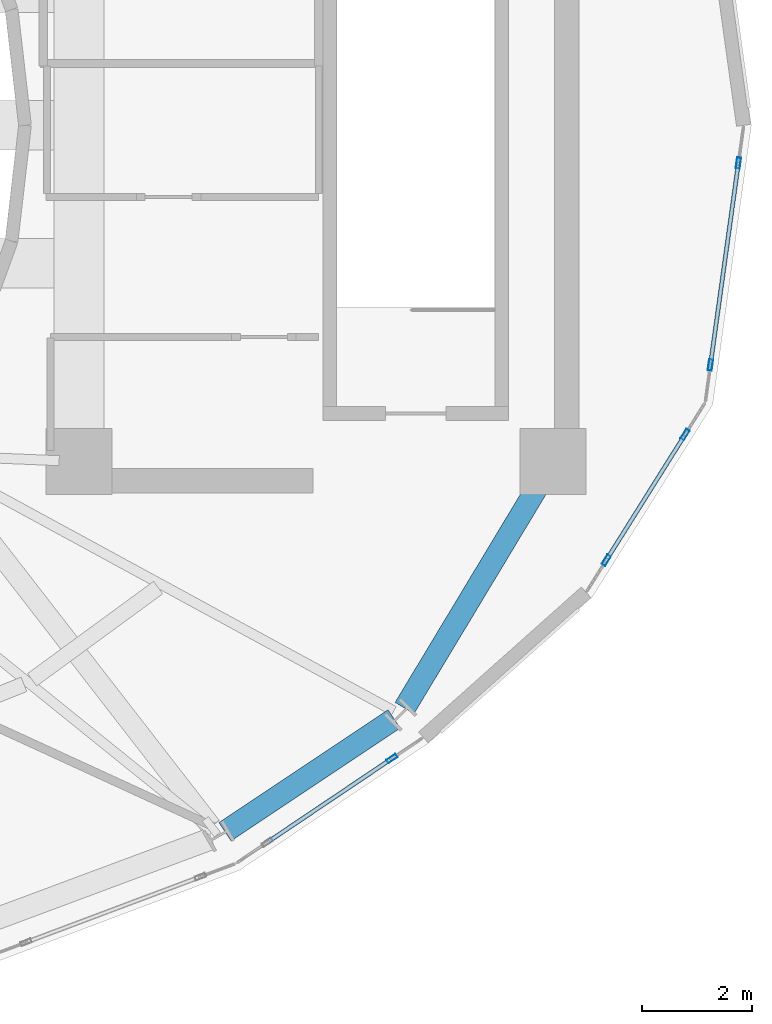
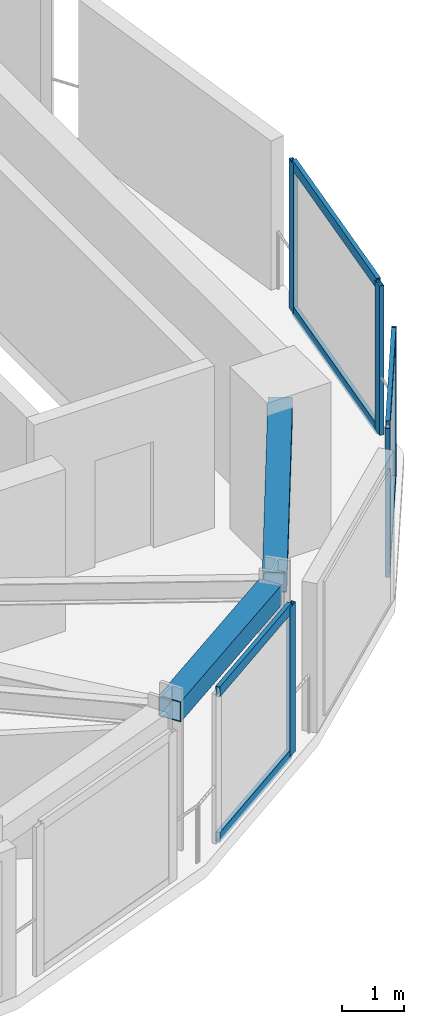
# One storey, part 12 of 17: 11 members, 2 beams, 3 elements without a shape of their own.
"""IFC4 building model written with IfcOpenShell, lengths in metres."""

from ifc_helpers import new_model, si_unit, direction, frame, origin, origin_2d, place, context, subcontext, project, spatial, hollow_rectangle, extrude, material, layer, layer_set, material_profile, profile_set, type_object, element, aggregate, save


model = new_model("IFC4")

# Units and contexts
model_context = context("Model", 3, precision=1e-05, world=origin(), true_north=direction((0.0, 1.0)))
body_context = subcontext(model_context, "Body", "Model", "MODEL_VIEW")
ifc_project = project(units=[si_unit("LENGTHUNIT", "METRE"), si_unit("AREAUNIT", "SQUARE_METRE"), si_unit("VOLUMEUNIT", "CUBIC_METRE"), si_unit("PLANEANGLEUNIT", "RADIAN"), si_unit("MASSUNIT", "GRAM", prefix="KILO")], contexts=[model_context])

# Site, building, storey
site_placement = place(None, origin())
site = spatial("IfcSite", under=ifc_project, at=site_placement, CompositionType="ELEMENT")
building_placement = place(site_placement, origin())
building = spatial("IfcBuilding", under=site, at=building_placement, Name="Solvane Sanctuary Tower", CompositionType="ELEMENT")
storey_placement = place(building_placement, frame((0.0, 0.0, 276.39990234375)))
storey = spatial("IfcBuildingStorey", under=building, at=storey_placement, Name="L84", CompositionType="ELEMENT", Elevation=276.39990234375)

# Beams
ifc_material_1 = material(Name="Steel ASTM A913 Grade 65", Category="steel")
ifc_material_profile_1 = material_profile(ifc_material_1, hollow_rectangle(XDim=0.39990234375, YDim=0.39990234375, WallThickness=0.01611328125, at=origin_2d()), Name="HSS400X400X16")
ifc_profile_set_1 = profile_set([ifc_material_profile_1], Name="Steel ASTM A913 Grade 65")
beam_type = type_object("IfcBeamType", Name="Beam B-CROWN-CAP HSS400X400X16", PredefinedType="T_BEAM", material=ifc_profile_set_1)
beam_1_placement = place(storey_placement, frame((42.74853515625, 10.182861328125, 2.748046875), z_axis=(0.832121550366, 0.554593297306, 0.0), x_axis=(-0.554593297306, 0.832121550366, 0.0)))
element("IfcBeam", 1, at=beam_1_placement, inside=storey, type_object=beam_type, Name="L84 Perimeter Spandrel Beam TC13-TC14", PredefinedType="T_BEAM", context=body_context, shape_type="SweptSolid", body=[
    extrude(hollow_rectangle(XDim=0.39990234375, YDim=0.39990234375, WallThickness=0.01611328125, at=origin_2d()), origin(), (0.0, 0.0, 1.0), 3.689453125),
])
beam_2_placement = place(storey_placement, frame((46.007080078125, 12.4267578125, 2.748046875), z_axis=(0.515766710817, 0.856729070368, 0.0), x_axis=(-0.856729070368, 0.515766710817, 0.0)))
element("IfcBeam", 2, at=beam_2_placement, inside=storey, type_object=beam_type, Name="L84 Perimeter Spandrel Beam TC14-CE2", PredefinedType="T_BEAM", context=body_context, shape_type="SweptSolid", body=[
    extrude(hollow_rectangle(XDim=0.39990234375, YDim=0.39990234375, WallThickness=0.01611328125, at=origin_2d()), origin(), (0.0, 0.0, 1.0), 4.94140625),
])

# Curtain wall, member
ifc_material_2 = material(Name="Anodised Aluminium 6063-T6", Category="aluminium")
ifc_layer = layer(ifc_material_2, 0.219970703125, Name="Anodised Aluminium 6063-T6")
ifc_layer_set = layer_set([ifc_layer], Name="Anodised Aluminium 6063-T6")
curtain_wall_type = type_object("IfcCurtainWallType", Name="Curtain Wall CW-CROWN", PredefinedType="NOTDEFINED", material=ifc_layer_set)
curtain_wall_1_placement = place(storey_placement, origin())
curtain_wall_1 = element("IfcCurtainWall", 3, at=curtain_wall_1_placement, inside=storey, type_object=curtain_wall_type, Name="L84 Crown Fritted Lantern Curtain Wall 20", PredefinedType="NOTDEFINED")
ifc_material_profile_2 = material_profile(ifc_material_2, hollow_rectangle(XDim=0.074951171875, YDim=0.199951171875, WallThickness=0.00390625, at=origin_2d()), Name="ALU200X75X4")
ifc_profile_set_2 = profile_set([ifc_material_profile_2], Name="Anodised Aluminium 6063-T6")
member_type_1 = type_object("IfcMemberType", Name="Member M-CW-MUL-1 ALU200X75X4", PredefinedType="MULLION", material=ifc_profile_set_2)
member_1_placement = place(storey_placement, frame((45.77734375, 11.51025390625, 0.0), z_axis=(0.0, 0.0, 1.0), x_axis=(-0.557937331389, 0.829883084682, 0.0)))
member_1 = element("IfcMember", 4, at=member_1_placement, type_object=member_type_1, Name="CW-CROWN mullion 2", PredefinedType="MULLION", context=body_context, shape_type="SweptSolid", body=[
    extrude(hollow_rectangle(XDim=0.074951171875, YDim=0.199951171875, WallThickness=0.00390625, at=origin_2d()), origin(), (0.0, 0.0, 1.0), 2.9501953125),
])

# Curtain wall, members
curtain_wall_2_placement = place(storey_placement, origin())
curtain_wall_2 = element("IfcCurtainWall", 5, at=curtain_wall_2_placement, inside=storey, type_object=curtain_wall_type, Name="L84 Crown Fritted Lantern Curtain Wall 22", PredefinedType="NOTDEFINED")
member_2_placement = place(storey_placement, frame((49.667236328125, 15.10888671875, 0.0), z_axis=(0.0, 0.0, 1.0), x_axis=(-0.847126400009, 0.531391439909, 0.0)))
member_2 = element("IfcMember", 6, at=member_2_placement, type_object=member_type_1, Name="CW-CROWN mullion 1", PredefinedType="MULLION", context=body_context, shape_type="SweptSolid", body=[
    extrude(hollow_rectangle(XDim=0.074951171875, YDim=0.199951171875, WallThickness=0.00390625, at=origin_2d()), origin(), (0.0, 0.0, 1.0), 2.9501953125),
])
member_3_placement = place(storey_placement, frame((51.09814453125, 17.389892578125, 0.0), z_axis=(0.0, 0.0, 1.0), x_axis=(-0.847126400009, 0.531391439909, 0.0)))
member_3 = element("IfcMember", 7, at=member_3_placement, type_object=member_type_1, Name="CW-CROWN mullion 2", PredefinedType="MULLION", context=body_context, shape_type="SweptSolid", body=[
    extrude(hollow_rectangle(XDim=0.074951171875, YDim=0.199951171875, WallThickness=0.00390625, at=origin_2d()), origin(), (0.0, 0.0, 1.0), 2.9501953125),
])

curtain_wall_3_placement = place(storey_placement, origin())
curtain_wall_3 = element("IfcCurtainWall", 8, at=curtain_wall_3_placement, inside=storey, type_object=curtain_wall_type, Name="L84 Crown Fritted Lantern Curtain Wall 23", PredefinedType="NOTDEFINED")
member_4_placement = place(storey_placement, frame((51.557861328125, 18.6533203125, 0.0), z_axis=(0.0, 0.0, 1.0), x_axis=(-0.990540232027, 0.137222624725, 0.0)))
member_4 = element("IfcMember", 9, at=member_4_placement, type_object=member_type_1, Name="CW-CROWN mullion 1", PredefinedType="MULLION", context=body_context, shape_type="SweptSolid", body=[
    extrude(hollow_rectangle(XDim=0.074951171875, YDim=0.199951171875, WallThickness=0.00390625, at=origin_2d()), origin(), (0.0, 0.0, 1.0), 2.9501953125),
])
member_5_placement = place(storey_placement, frame((52.065673828125, 22.31884765625, 0.0), z_axis=(0.0, 0.0, 1.0), x_axis=(-0.990540232027, 0.137222624725, 0.0)))
member_5 = element("IfcMember", 10, at=member_5_placement, type_object=member_type_1, Name="CW-CROWN mullion 2", PredefinedType="MULLION", context=body_context, shape_type="SweptSolid", body=[
    extrude(hollow_rectangle(XDim=0.074951171875, YDim=0.199951171875, WallThickness=0.00390625, at=origin_2d()), origin(), (0.0, 0.0, 1.0), 2.9501953125),
])

# Member
ifc_material_profile_3 = material_profile(ifc_material_2, hollow_rectangle(XDim=0.074951171875, YDim=0.199951171875, WallThickness=0.00390625, at=origin_2d()), Name="ALU200X75X4")
ifc_profile_set_3 = profile_set([ifc_material_profile_3], Name="Anodised Aluminium 6063-T6")
member_type_2 = type_object("IfcMemberType", Name="Member M-CW-TRN-2 ALU200X75X4", PredefinedType="USERDEFINED", material=ifc_profile_set_3)
member_6_placement = place(storey_placement, frame((43.548583984375, 10.011962890625, 0.03759765625), z_axis=(0.829902188603, 0.557908914925, 0.0), x_axis=(-0.557908914925, 0.829902188603, 0.0)))
member_6 = element("IfcMember", 11, at=member_6_placement, type_object=member_type_2, Name="CW-CROWN transom 1.1", ObjectType="TRANSOM", PredefinedType="USERDEFINED", context=body_context, shape_type="SweptSolid", body=[
    extrude(hollow_rectangle(XDim=0.074951171875, YDim=0.199951171875, WallThickness=0.00390625, at=origin_2d()), origin(), (0.0, 0.0, 1.0), 2.64794921875),
])

member_7_placement = place(storey_placement, frame((43.548583984375, 10.011962890625, 2.91259765625), z_axis=(0.829902188603, 0.557908914925, 0.0), x_axis=(-0.557908914925, 0.829902188603, 0.0)))
member_7 = element("IfcMember", 12, at=member_7_placement, type_object=member_type_2, Name="CW-CROWN transom 1.2", ObjectType="TRANSOM", PredefinedType="USERDEFINED", context=body_context, shape_type="SweptSolid", body=[
    extrude(hollow_rectangle(XDim=0.074951171875, YDim=0.199951171875, WallThickness=0.00390625, at=origin_2d()), origin(), (0.0, 0.0, 1.0), 2.64794921875),
])

aggregate(curtain_wall_1, [member_1, member_6, member_7])

member_8_placement = place(storey_placement, frame((49.687255859375, 15.140625, 0.03759765625), z_axis=(0.531348035337, 0.847153625586, 0.0), x_axis=(-0.847153625586, 0.531348035337, 0.0)))
member_8 = element("IfcMember", 13, at=member_8_placement, type_object=member_type_2, Name="CW-CROWN transom 1.1", ObjectType="TRANSOM", PredefinedType="USERDEFINED", context=body_context, shape_type="SweptSolid", body=[
    extrude(hollow_rectangle(XDim=0.074951171875, YDim=0.199951171875, WallThickness=0.00390625, at=origin_2d()), origin(), (0.0, 0.0, 1.0), 2.61767578125),
])

member_9_placement = place(storey_placement, frame((49.687255859375, 15.140625, 2.91259765625), z_axis=(0.531348035337, 0.847153625586, 0.0), x_axis=(-0.847153625586, 0.531348035337, 0.0)))
member_9 = element("IfcMember", 14, at=member_9_placement, type_object=member_type_2, Name="CW-CROWN transom 1.2", ObjectType="TRANSOM", PredefinedType="USERDEFINED", context=body_context, shape_type="SweptSolid", body=[
    extrude(hollow_rectangle(XDim=0.074951171875, YDim=0.199951171875, WallThickness=0.00390625, at=origin_2d()), origin(), (0.0, 0.0, 1.0), 2.61767578125),
])

aggregate(curtain_wall_2, [member_2, member_3, member_8, member_9])

member_10_placement = place(storey_placement, frame((51.56298828125, 18.6904296875, 0.03759765625), z_axis=(0.137234376268, 0.990538603978, 0.0), x_axis=(-0.990538603978, 0.137234376268, 0.0)))
member_10 = element("IfcMember", 15, at=member_10_placement, type_object=member_type_2, Name="CW-CROWN transom 1.1", ObjectType="TRANSOM", PredefinedType="USERDEFINED", context=body_context, shape_type="SweptSolid", body=[
    extrude(hollow_rectangle(XDim=0.074951171875, YDim=0.199951171875, WallThickness=0.00390625, at=origin_2d()), origin(), (0.0, 0.0, 1.0), 3.625732421875),
])

member_11_placement = place(storey_placement, frame((51.56298828125, 18.6904296875, 2.91259765625), z_axis=(0.137234376268, 0.990538603978, 0.0), x_axis=(-0.990538603978, 0.137234376268, 0.0)))
member_11 = element("IfcMember", 16, at=member_11_placement, type_object=member_type_2, Name="CW-CROWN transom 1.2", ObjectType="TRANSOM", PredefinedType="USERDEFINED", context=body_context, shape_type="SweptSolid", body=[
    extrude(hollow_rectangle(XDim=0.074951171875, YDim=0.199951171875, WallThickness=0.00390625, at=origin_2d()), origin(), (0.0, 0.0, 1.0), 3.625732421875),
])

aggregate(curtain_wall_3, [member_4, member_5, member_10, member_11])

save(model, "model.ifc")
